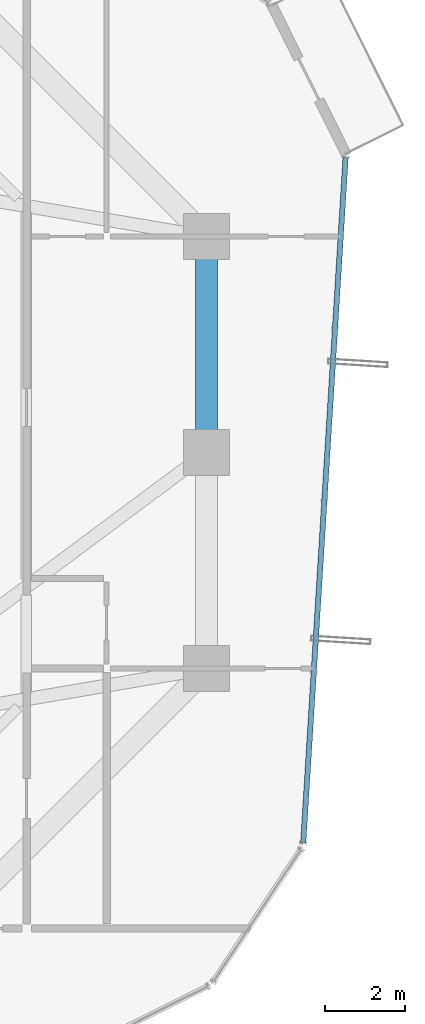
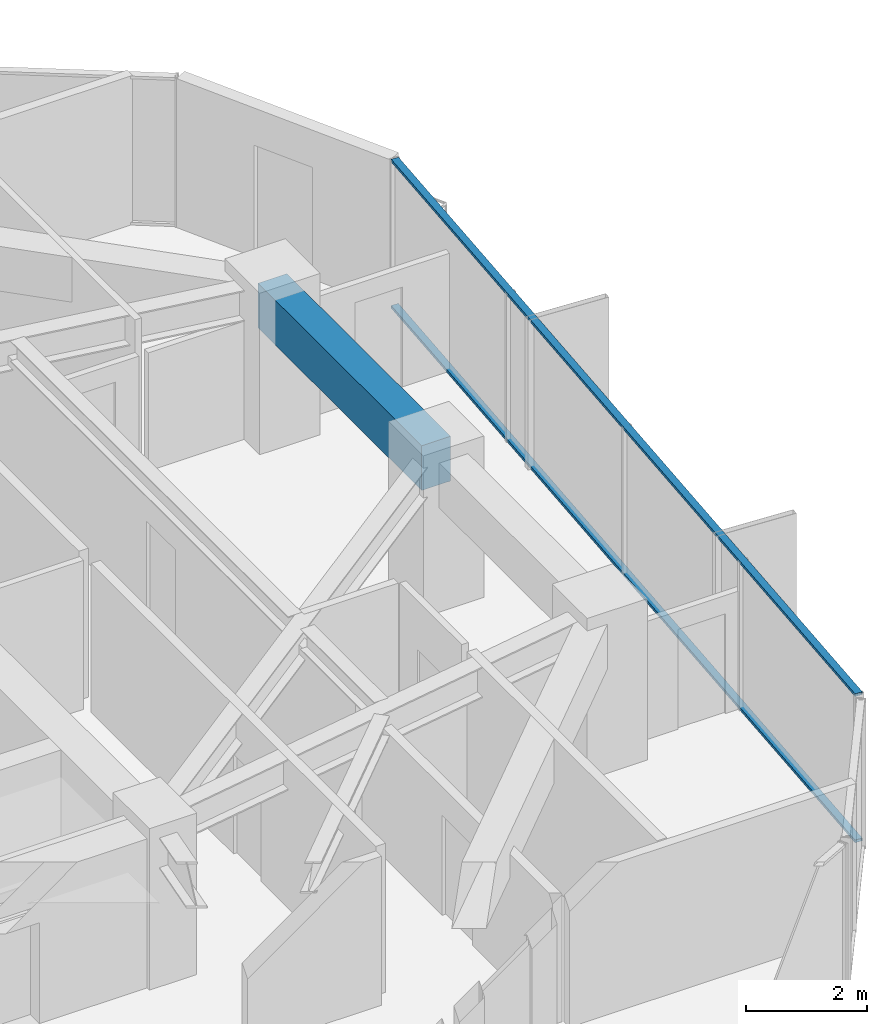
# One storey, part 14 of 30: 2 members, 1 beam, 1 element without a shape of its own.
"""IFC4 building model written with IfcOpenShell, lengths in metres."""

from ifc_helpers import new_model, si_unit, direction, frame, origin, origin_2d, place, context, subcontext, project, spatial, rectangle, hollow_rectangle, extrude, source, transform, mapped, material, layer, layer_set, material_profile, profile_set, type_object, element, aggregate, save


model = new_model("IFC4")

# Units and contexts
model_context = context("Model", 3, precision=1e-05, world=origin(), true_north=direction((0.0, 1.0)))
body_context = subcontext(model_context, "Body", "Model", "MODEL_VIEW")
ifc_project = project(units=[si_unit("LENGTHUNIT", "METRE"), si_unit("AREAUNIT", "SQUARE_METRE"), si_unit("VOLUMEUNIT", "CUBIC_METRE"), si_unit("PLANEANGLEUNIT", "RADIAN"), si_unit("MASSUNIT", "GRAM", prefix="KILO")], contexts=[model_context])

# Site, building, storey
site_placement = place(None, origin())
site = spatial("IfcSite", under=ifc_project, at=site_placement, CompositionType="ELEMENT")
building_placement = place(site_placement, origin())
building = spatial("IfcBuilding", under=site, at=building_placement, Name="Veraguas Prism Commons", CompositionType="ELEMENT")
storey_placement = place(building_placement, frame((0.0, 0.0, 116.5)))
storey = spatial("IfcBuildingStorey", under=building, at=storey_placement, Name="L32", CompositionType="ELEMENT", Elevation=116.5)

# Beam
ifc_material_1 = material(Name="Concrete C50/60", Category="concrete")
ifc_material_profile_1 = material_profile(ifc_material_1, rectangle(XDim=0.550048828125, YDim=0.89990234375, at=origin_2d()), Name="RC550X900")
ifc_profile_set_1 = profile_set([ifc_material_profile_1], Name="Concrete C50/60")
beam_type = type_object("IfcBeamType", Name="Perimeter Spandrel Lower RC 550x900", PredefinedType="SPANDREL", material=ifc_profile_set_1)
beam_placement = place(storey_placement, frame((40.199951171875, 24.0, 2.550048828125), z_axis=(0.0, 1.0, 0.0), x_axis=(-1.0, 0.0, 0.0)))
element("IfcBeam", 1, at=beam_placement, inside=storey, type_object=beam_type, Name="Perimeter Spandrel Beam L32-SP02", PredefinedType="SPANDREL", context=body_context, shape_type="SweptSolid", body=[
    extrude(rectangle(XDim=0.550048828125, YDim=0.89990234375, at=origin_2d()), origin(), (0.0, 0.0, 1.0), 5.39990234375),
])

# Curtain wall, members
ifc_material_2 = material(Name="Anodised aluminium EN AW-6063 T6", Category="aluminium")
ifc_layer = layer(ifc_material_2, 0.169921875, Name="Unitised Flush Curtain Wall Zone 2", Category="aluminium")
ifc_layer_set = layer_set([ifc_layer], Name="Anodised aluminium EN AW-6063 T6")
curtain_wall_type = type_object("IfcCurtainWallType", Name="Unitised Flush Curtain Wall Zone 2", PredefinedType="NOTDEFINED", material=ifc_layer_set)
curtain_wall_placement = place(storey_placement, origin())
curtain_wall = element("IfcCurtainWall", 2, at=curtain_wall_placement, inside=storey, type_object=curtain_wall_type, Name="Tower Facade Curtain Wall L32-F6", PredefinedType="NOTDEFINED")
ifc_material_profile_2 = material_profile(ifc_material_2, hollow_rectangle(XDim=0.054931640625, YDim=0.135009765625, WallThickness=0.0029296875, at=origin_2d()), Name="AL55X135X3")
ifc_profile_set_2 = profile_set([ifc_material_profile_2], Name="Anodised aluminium EN AW-6063 T6")
member_type = type_object("IfcMemberType", Name="Curtain Wall Transom Standard AL 55x135x3", PredefinedType="USERDEFINED", material=ifc_profile_set_2)
shared_shape = source(origin(), body_context, "Body", "SweptSolid", [
    extrude(hollow_rectangle(XDim=0.054931640625, YDim=0.135009765625, WallThickness=0.0029296875, at=origin_2d()), origin(), (0.0, 0.0, 1.0), 17.174560546875),
])
member_1_placement = place(storey_placement, frame((42.61572265625, 14.24462890625, 0.027587890625), z_axis=(0.061736652934, 0.998092473514, 0.0), x_axis=(0.0, 0.0, 1.0)))
member_1 = element("IfcMember", 3, at=member_1_placement, type_object=member_type, Name="CW-Z2 Transom 1", ObjectType="TRANSOM", PredefinedType="USERDEFINED", context=body_context, shape_type="MappedRepresentation", body=[
    mapped(shared_shape, transform((0.0, 0.0, 0.0), scale=1.0)),
])
member_2_placement = place(storey_placement, frame((42.61572265625, 14.24462890625, 2.972412109375), z_axis=(0.061736652934, 0.998092473514, 0.0), x_axis=(0.0, 0.0, 1.0)))
member_2 = element("IfcMember", 4, at=member_2_placement, type_object=member_type, Name="CW-Z2 Transom 2", ObjectType="TRANSOM", PredefinedType="USERDEFINED", context=body_context, shape_type="MappedRepresentation", body=[
    mapped(shared_shape, transform((0.0, 0.0, 0.0), scale=1.0)),
])
aggregate(curtain_wall, [member_1, member_2])

save(model, "model.ifc")
